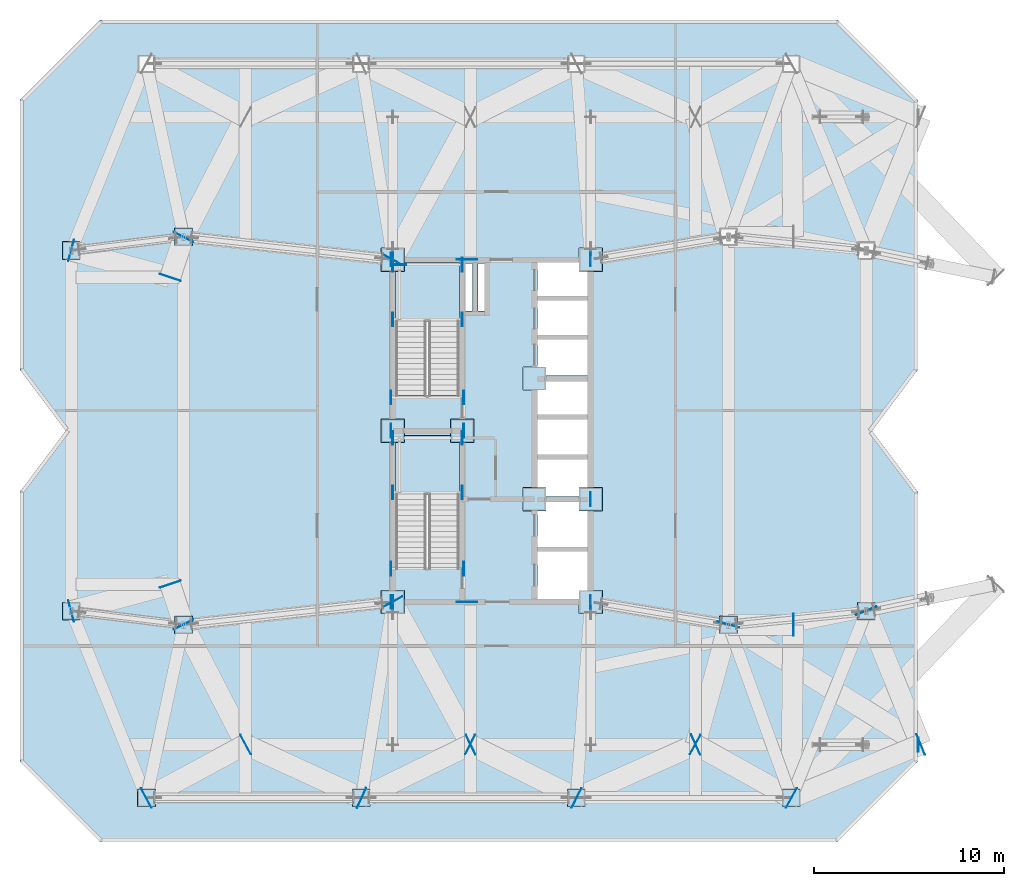
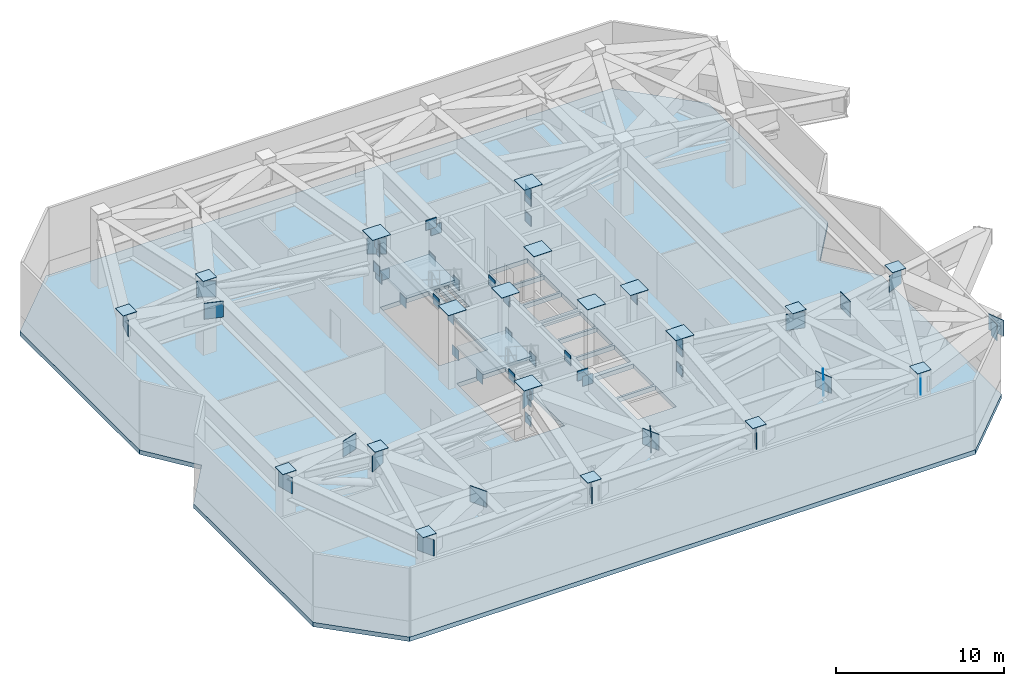
# One storey, part 7 of 19: 79 plates, 3 slabs, 2 elements without a shape of their own.
"""IFC4 building model written with IfcOpenShell, lengths in metres."""

import ifcopenshell
import ifcopenshell.guid

model = None  # the IFC model being written
_history = None  # IfcOwnerHistory: only IFC2X3 demands one
_inside = {}  # id of a spatial element -> (the spatial element, [elements in it])
_under = {}  # id of a project, library or spatial element -> (it, [spatial elements below it])
_declared = {}  # id of a project -> (the project, [libraries it declares])
_typed = {}  # id of a type object -> (the type object, [elements of that type])
_made_of = {}  # id of a material, layer set ... -> (it, [elements and type objects made of it])


def new_model(schema):
    """Start an empty IFC model of exactly this schema.

    Asked for "IFC4X3", IfcOpenShell would pick the latest addendum, in which some entities
    have other attributes; the version numbers below select the first issue.
    IFC2X3 requires an IfcOwnerHistory on every rooted entity: one is made here for all.
    """
    global model, _history
    if schema == "IFC4X3":
        model = ifcopenshell.file(schema_version=(4, 3, 0, 0))
    else:
        model = ifcopenshell.file(schema=schema)
    _inside.clear()
    _under.clear()
    _declared.clear()
    _typed.clear()
    _made_of.clear()
    _history = None
    if model.schema == "IFC2X3":
        org = make("IfcOrganization", Name="unknown")
        user = make(
            "IfcPersonAndOrganization",
            ThePerson=make("IfcPerson", FamilyName="unknown"),
            TheOrganization=org,
        )
        app = make(
            "IfcApplication",
            ApplicationDeveloper=org,
            Version="unknown",
            ApplicationFullName="unknown",
            ApplicationIdentifier="unknown",
        )
        _history = make(
            "IfcOwnerHistory",
            OwningUser=user,
            OwningApplication=app,
            ChangeAction="ADDED",
            CreationDate=0,
        )
    return model


def make(cls, **values):
    """One entity of the class cls with the attributes given. An attribute that is None is left unset."""
    return model.create_entity(
        cls, **{name: value for name, value in values.items() if value is not None}
    )


def rooted(cls, **values):
    """An entity with a GlobalId (a new one), such as an element, a storey or a relation."""
    return make(cls, GlobalId=ifcopenshell.guid.new(), OwnerHistory=_history, **values)


def si_unit(unit_type, name, prefix=None):
    """IfcSIUnit, for example si_unit("LENGTHUNIT", "METRE", prefix="MILLI")."""
    return make("IfcSIUnit", UnitType=unit_type, Prefix=prefix, Name=name)


def assignment(units):
    """IfcUnitAssignment: the units of a project."""
    return None if units is None else make("IfcUnitAssignment", Units=units)


def point(xyz):
    """IfcCartesianPoint."""
    return None if xyz is None else make("IfcCartesianPoint", Coordinates=xyz)


def direction(xyz):
    """IfcDirection."""
    return None if xyz is None else make("IfcDirection", DirectionRatios=xyz)


def frame(location, z_axis=None, x_axis=None):
    """IfcAxis2Placement3D, a coordinate frame: its origin and axes. An axis left out is left unset."""
    return make(
        "IfcAxis2Placement3D",
        Location=point(location),
        Axis=direction(z_axis),
        RefDirection=direction(x_axis),
    )


def frame_2d(location, x_axis=None):
    """IfcAxis2Placement2D, a coordinate frame in the plane: its origin and x axis."""
    return make(
        "IfcAxis2Placement2D", Location=point(location), RefDirection=direction(x_axis)
    )


def origin():
    """The frame at (0, 0, 0) with its axes left unset."""
    return frame((0.0, 0.0, 0.0))


def origin_2d():
    """The frame at (0, 0) in the plane with its x axis left unset."""
    return frame_2d((0.0, 0.0))


def place(relative_to, where):
    """IfcLocalPlacement: puts the frame where relative to a parent placement (None: the world)."""
    return make(
        "IfcLocalPlacement", PlacementRelTo=relative_to, RelativePlacement=where
    )


def context(
    kind, dimensions, precision=None, world=None, true_north=None, identifier=None
):
    """IfcGeometricRepresentationContext, for example the 3D "Model" context."""
    return make(
        "IfcGeometricRepresentationContext",
        ContextIdentifier=identifier,
        ContextType=kind,
        CoordinateSpaceDimension=dimensions,
        Precision=precision,
        WorldCoordinateSystem=world,
        TrueNorth=true_north,
    )


def subcontext(parent, identifier, kind, view, scale=None):
    """IfcGeometricRepresentationSubContext, for example "Body" below "Model"."""
    return make(
        "IfcGeometricRepresentationSubContext",
        ContextIdentifier=identifier,
        ContextType=kind,
        ParentContext=parent,
        TargetScale=scale,
        TargetView=view,
    )


def project(units=None, contexts=None):
    """IfcProject with its units and contexts."""
    return rooted(
        "IfcProject",
        Name="project",
        RepresentationContexts=contexts,
        UnitsInContext=assignment(units),
    )


def spatial(cls, under=None, at=None, **own):
    """A site, building, storey or space (cls), placed at a placement, below another one or the project."""
    s = rooted(cls, ObjectPlacement=at, **own)
    if under is not None:
        _under.setdefault(under.id(), (under, []))[1].append(s)
    return s


def polyline(points):
    """IfcPolyline through the points."""
    return make("IfcPolyline", Points=[point(p) for p in points])


def profile(cls, at=None, kind="AREA", **sizes):
    """A parametric profile (cls). Its sizes go by their IFC names, for example OverallWidth=200.0."""
    return make(cls, ProfileType=kind, Position=at, **sizes)


def rectangle(**sizes):
    """IfcRectangleProfileDef."""
    return profile("IfcRectangleProfileDef", **sizes)


def outline(outer, holes=None, kind="AREA"):
    """IfcArbitraryClosedProfileDef: a profile drawn as a closed curve; with holes, ...WithVoids."""
    if holes is None:
        return make("IfcArbitraryClosedProfileDef", ProfileType=kind, OuterCurve=outer)
    return make(
        "IfcArbitraryProfileDefWithVoids",
        ProfileType=kind,
        OuterCurve=outer,
        InnerCurves=holes,
    )


def extrude(swept, where, along, depth):
    """IfcExtrudedAreaSolid: the profile swept, set in the frame where, extruded along a direction by depth."""
    return make(
        "IfcExtrudedAreaSolid",
        SweptArea=swept,
        Position=where,
        ExtrudedDirection=direction(along),
        Depth=depth,
    )


def shape(context_of_items, identifier, shape_type, items):
    """IfcShapeRepresentation: the items that make up one representation, for example the "Body"."""
    return make(
        "IfcShapeRepresentation",
        ContextOfItems=context_of_items,
        RepresentationIdentifier=identifier,
        RepresentationType=shape_type,
        Items=items,
    )


def material(Name=None, Category=None):
    """IfcMaterial."""
    return make("IfcMaterial", Name=Name, Category=Category)


def layer(
    of_material, thickness, ventilated=None, Name=None, Category=None, Priority=None
):
    """IfcMaterialLayer: one layer of a wall or slab, of a material (None: an air gap)."""
    return make(
        "IfcMaterialLayer",
        Material=of_material,
        LayerThickness=thickness,
        IsVentilated=ventilated,
        Name=Name,
        Category=Category,
        Priority=Priority,
    )


def layer_set(layers, Name=None):
    """IfcMaterialLayerSet."""
    return make("IfcMaterialLayerSet", MaterialLayers=layers, LayerSetName=Name)


def made_of(thing, what):
    """Note that an element or type object is made of a material, layer set ...; save() writes the relation."""
    if what is not None:
        _made_of.setdefault(what.id(), (what, []))[1].append(thing)
    return thing


def type_object(cls, material=None, **own):
    """A type object (cls), such as IfcWallType, which elements share."""
    return made_of(rooted(cls, **own), material)


def element(
    cls,
    number,
    at=None,
    inside=None,
    cuts=None,
    type_object=None,
    material=None,
    context=None,
    identifier="Body",
    shape_type=None,
    held_by="IfcProductDefinitionShape",
    body=None,
    shapes=None,
    **own,
):
    """One element of the class cls, such as IfcWall. Its Tag is "e" and its number.

    at: its placement. inside: the storey or other place that contains it. cuts: it is an
    opening in that element (IfcRelVoidsElement). A single representation is given by context,
    identifier, shape_type and body (its items); several are given by shapes. held_by: the class
    of the entity that holds the representations. save() writes the other relations.
    """
    e = rooted(cls, Tag="e%d" % number, ObjectPlacement=at, **own)
    if body is not None:
        shapes = [shape(context, identifier, shape_type, body)]
    if shapes is not None:
        e.Representation = make(held_by, Representations=shapes)
    if inside is not None:
        _inside.setdefault(inside.id(), (inside, []))[1].append(e)
    if cuts is not None:
        rooted(
            "IfcRelVoidsElement", RelatingBuildingElement=cuts, RelatedOpeningElement=e
        )
    if type_object is not None:
        _typed.setdefault(type_object.id(), (type_object, []))[1].append(e)
    return made_of(e, material)


def aggregate(whole, parts):
    """IfcRelAggregates: a whole, such as a stair, and the parts it consists of."""
    return rooted("IfcRelAggregates", RelatingObject=whole, RelatedObjects=parts)


def save(model, path):
    """Write the relations noted so far, then the file.

    IfcRelAggregates (storeys below a building ...), IfcRelContainedInSpatialStructure (elements
    in a storey), IfcRelDefinesByType, IfcRelAssociatesMaterial and IfcRelDeclares: one each for
    every whole, place, type object, material and project.
    """
    for whole, parts in _under.values():
        aggregate(whole, parts)
    for where, things in _inside.values():
        rooted(
            "IfcRelContainedInSpatialStructure",
            RelatedElements=things,
            RelatingStructure=where,
        )
    for kind, things in _typed.values():
        rooted("IfcRelDefinesByType", RelatedObjects=things, RelatingType=kind)
    for what, things in _made_of.values():
        rooted("IfcRelAssociatesMaterial", RelatedObjects=things, RelatingMaterial=what)
    for by, libraries in _declared.values():
        rooted("IfcRelDeclares", RelatingContext=by, RelatedDefinitions=libraries)
    model.write(path)


model = new_model("IFC4")

# Units and contexts
model_context = context("Model", 3, precision=1e-05, world=origin(), true_north=direction((0.0, 1.0)))
body_context = subcontext(model_context, "Body", "Model", "MODEL_VIEW")
ifc_project = project(units=[si_unit("LENGTHUNIT", "METRE"), si_unit("AREAUNIT", "SQUARE_METRE"), si_unit("VOLUMEUNIT", "CUBIC_METRE"), si_unit("PLANEANGLEUNIT", "RADIAN"), si_unit("MASSUNIT", "GRAM", prefix="KILO")], contexts=[model_context])

# Site, building, storey
site_placement = place(None, origin())
site = spatial("IfcSite", under=ifc_project, at=site_placement, CompositionType="ELEMENT")
building_placement = place(site_placement, origin())
building = spatial("IfcBuilding", under=site, at=building_placement, Name="Khamvora Tower", CompositionType="ELEMENT")
storey_placement = place(building_placement, frame((0.0, 0.0, 150.5)))
storey = spatial("IfcBuildingStorey", under=building, at=storey_placement, Name="L38", CompositionType="ELEMENT", Elevation=150.5)

# Plates
ifc_material_1 = material(Name="Steel S355", Category="steel")
ifc_layer_1 = layer(ifc_material_1, 0.02490234375)
ifc_layer_set_1 = layer_set([ifc_layer_1], Name="Steel S355")
plate_type_1 = type_object("IfcPlateType", Name="PL-CAP-25", PredefinedType="SHEET", material=ifc_layer_set_1)
for number, where, z_axis, x_axis, name in (
    (1, (29.0, 19.0, 5.37548828125), (0.0, 0.0, 1.0), (1.0, 0.0, 0.0), "L38 hollow section steel end cap plate 0003"),
    (2, (32.64990234375, 28.0, 5.37548828125), (0.0, 0.0, 1.0), (1.0, 0.0, 0.0), "L38 hollow section steel end cap plate 0009"),
    (3, (39.39990234375, 19.0, 5.37548828125), (0.0, 0.0, 1.0), (1.0, 0.0, 0.0), "L38 hollow section steel end cap plate 0015"),
    (4, (29.0, 28.0, 5.37548828125), (0.0, 0.0, 1.0), (1.0, 0.0, 0.0), "L38 hollow section steel end cap plate 0021"),
    (5, (36.449951171875, 24.39990234375, 5.37548828125), (0.0, 0.0, 1.0), (1.0, 0.0, 0.0), "L38 hollow section steel end cap plate 0027"),
    (6, (39.39990234375, 24.39990234375, 5.37548828125), (0.0, 0.0, 1.0), (1.0, 0.0, 0.0), "L38 hollow section steel end cap plate 0033"),
    (7, (29.0, 37.0, 5.37548828125), (0.0, 0.0, 1.0), (1.0, 0.0, 0.0), "L38 hollow section steel end cap plate 0039"),
    (8, (36.449951171875, 30.75, 5.37548828125), (0.0, 0.0, 1.0), (1.0, 0.0, 0.0), "L38 hollow section steel end cap plate 0045"),
    (9, (39.39990234375, 37.0, 5.37548828125), (0.0, 0.0, 1.0), (1.0, 0.0, 0.0), "L38 hollow section steel end cap plate 0051"),
):
    element("IfcPlate", number, at=place(storey_placement, frame(where, z_axis=z_axis, x_axis=x_axis)), inside=storey, type_object=plate_type_1, Name=name, PredefinedType="SHEET", context=body_context, shape_type="SweptSolid", body=[
        extrude(rectangle(XDim=1.22998046875, YDim=1.22998046875, at=origin_2d()), origin(), (0.0, 0.0, 1.0), 0.02490234375),
    ])
for number, where, z_axis, x_axis, name in (
    (10, (18.0, 17.800048828125, 5.37548828125), (0.0, 0.0, 1.0), (1.0, 0.0, 0.0), "L38 hollow section steel end cap plate 0132"),
    (11, (18.0, 38.199951171875, 5.37548828125), (0.0, 0.0, 1.0), (1.0, 0.0, 0.0), "L38 hollow section steel end cap plate 0137"),
    (12, (16.050048828125, 8.699951171875, 5.37548828125), (0.0, 0.0, 1.0), (1.0, 0.0, 0.0), "L38 hollow section steel end cap plate 0148"),
    (13, (27.35009765625, 8.699951171875, 5.37548828125), (0.0, 0.0, 1.0), (1.0, 0.0, 0.0), "L38 hollow section steel end cap plate 0151"),
    (14, (38.64990234375, 8.699951171875, 5.37548828125), (0.0, 0.0, 1.0), (1.0, 0.0, 0.0), "L38 hollow section steel end cap plate 0154"),
    (15, (49.949951171875, 8.699951171875, 5.37548828125), (0.0, 0.0, 1.0), (1.0, 0.0, 0.0), "L38 hollow section steel end cap plate 0157"),
    (16, (12.10009765625, 18.52001953125, 5.37548828125), (0.0, 0.0, 1.0), (1.0, 0.0, 0.0), "L38 hollow section steel end cap plate 0172"),
    (17, (12.10009765625, 37.47998046875, 5.37548828125), (0.0, 0.0, 1.0), (1.0, 0.0, 0.0), "L38 hollow section steel end cap plate 0175"),
    (18, (53.89990234375, 18.52001953125, 5.37548828125), (0.0, 0.0, 1.0), (1.0, 0.0, 0.0), "L38 hollow section steel end cap plate 0178"),
    (19, (46.64990234375, 17.800048828125, 5.37548828125), (0.0, 0.0, 1.0), (1.0, 0.0, 0.0), "L38 hollow section steel end cap plate 0184"),
):
    element("IfcPlate", number, at=place(storey_placement, frame(where, z_axis=z_axis, x_axis=x_axis)), inside=storey, type_object=plate_type_1, Name=name, PredefinedType="SHEET", context=body_context, shape_type="SweptSolid", body=[
        extrude(rectangle(XDim=0.929931640625, YDim=0.929931640625, at=origin_2d()), origin(), (0.0, 0.0, 1.0), 0.02490234375),
    ])
for number, where, z_axis, x_axis, name in (
    (20, (16.0390625, 8.694091796875, 3.85009765625), (0.0, 0.0, 1.0), (0.880469078975, 0.474103576204, 0.0), "L38 hollow section steel end cap plate 0896"),
    (21, (21.260986328125, 11.506103515625, 3.85009765625), (0.0, 0.0, 1.0), (0.880469078975, 0.474103576204, 0.0), "L38 hollow section steel end cap plate 0897"),
    (22, (27.361083984375, 8.695068359375, 3.85009765625), (0.0, 0.0, 1.0), (-0.90882880848, 0.417169266458, 0.0), "L38 hollow section steel end cap plate 0898"),
    (23, (17.993896484375, 17.81103515625, 3.85009765625), (0.0, 0.0, 1.0), (0.458463432868, -0.888713272503, 0.0), "L38 hollow section steel end cap plate 0899"),
    (24, (38.660888671875, 8.694091796875, 3.85009765625), (0.0, 0.0, 1.0), (-0.893363546096, 0.44933459082, 0.0), "L38 hollow section steel end cap plate 0900"),
    (25, (33.072021484375, 11.506103515625, 3.85009765625), (0.0, 0.0, 1.0), (-0.893363546096, 0.44933459082, 0.0), "L38 hollow section steel end cap plate 0901"),
    (26, (33.093994140625, 11.5048828125, 3.85009765625), (0.0, 0.0, 1.0), (0.89855673314, 0.438857376979, 0.0), "L38 hollow section steel end cap plate 0902"),
    (27, (28.993896484375, 19.010986328125, 3.85009765625), (0.0, 0.0, 1.0), (0.478140110514, -0.878283573066, 0.0), "L38 hollow section steel end cap plate 0903"),
    (28, (49.9609375, 8.694091796875, 3.85009765625), (0.0, 0.0, 1.0), (-0.873874061715, 0.486152367332, 0.0), "L38 hollow section steel end cap plate 0904"),
    (29, (44.906005859375, 11.506103515625, 3.85009765625), (0.0, 0.0, 1.0), (-0.873874061715, 0.486152367332, 0.0), "L38 hollow section steel end cap plate 0905"),
    (30, (46.653076171875, 17.81201171875, 3.85009765625), (0.0, 0.0, 1.0), (-0.265219568533, -0.964188042068, 0.0), "L38 hollow section steel end cap plate 0906"),
    (31, (44.927978515625, 11.5048828125, 3.85009765625), (0.0, 0.0, 1.0), (0.913019377726, 0.407916187344, 0.0), "L38 hollow section steel end cap plate 0907"),
    (32, (56.761962890625, 11.5048828125, 3.85009765625), (0.0, 0.0, 1.0), (0.924678995938, 0.380747625693, 0.0), "L38 hollow section steel end cap plate 0908"),
    (33, (53.89501953125, 18.537109375, 3.85009765625), (0.0, 0.0, 1.0), (0.375933167024, -0.926646779486, 0.0), "L38 hollow section steel end cap plate 0909"),
    (34, (17.993896484375, 38.18896484375, 3.85009765625), (0.0, 0.0, 1.0), (0.458463432868, 0.888713272503, 0.0), "L38 hollow section steel end cap plate 0913"),
    (35, (28.993896484375, 36.989013671875, 3.85009765625), (0.0, 0.0, 1.0), (0.478140110514, 0.878283573066, 0.0), "L38 hollow section steel end cap plate 0917"),
    (36, (17.2958984375, 19.93701171875, 3.85009765625), (0.0, 0.0, 1.0), (-0.312865434255, 0.949797462646, 0.0), "L38 hollow section steel end cap plate 0924"),
    (37, (12.087890625, 18.52197265625, 3.85009765625), (0.0, 0.0, 1.0), (0.965617973457, 0.259965246401, 0.0), "L38 hollow section steel end cap plate 0925"),
    (38, (17.2958984375, 36.06298828125, 3.85009765625), (0.0, 0.0, 1.0), (-0.312865434255, -0.949797462646, 0.0), "L38 hollow section steel end cap plate 0926"),
    (39, (12.087890625, 37.47802734375, 3.85009765625), (0.0, 0.0, 1.0), (0.965617973457, -0.259965246401, 0.0), "L38 hollow section steel end cap plate 0927"),
    (40, (50.06201171875, 17.800048828125, 3.85009765625), (0.0, 0.0, 1.0), (1.0, 0.0, 0.0), "L38 hollow section steel end cap plate 0930"),
):
    element("IfcPlate", number, at=place(storey_placement, frame(where, z_axis=z_axis, x_axis=x_axis)), inside=storey, type_object=plate_type_1, Name=name, PredefinedType="SHEET", context=body_context, shape_type="SweptSolid", body=[
        extrude(rectangle(XDim=0.02490234375, YDim=1.159912109375, at=origin_2d()), origin(), (0.0, 0.0, 1.0), 1.159912109375),
    ])
ifc_material_2 = material(Name="Steel S460", Category="steel")
ifc_layer_2 = layer(ifc_material_2, 0.034912109375)
ifc_layer_set_2 = layer_set([ifc_layer_2], Name="Steel S460")
plate_type_2 = type_object("IfcPlateType", Name="PL-EMB-35", PredefinedType="SHEET", material=ifc_layer_set_2)
for number, where, z_axis, x_axis, name in (
    (41, (29.0, 24.7548828125, 2.0087890625), (0.0, 0.0, 1.0), (1.0, 0.0, 0.0), "L38 core shear wall cast-in embed plate 1104"),
    (42, (32.64990234375, 24.7548828125, 2.0087890625), (0.0, 0.0, 1.0), (1.0, 0.0, 0.0), "L38 core shear wall cast-in embed plate 1105"),
    (43, (29.0, 27.6298828125, 2.0087890625), (0.0, 0.0, 1.0), (1.0, 0.0, 0.0), "L38 core shear wall cast-in embed plate 1106"),
    (44, (32.64990234375, 27.6298828125, 2.0087890625), (0.0, 0.0, 1.0), (1.0, 0.0, 0.0), "L38 core shear wall cast-in embed plate 1107"),
    (45, (29.0, 33.85498046875, 2.0087890625), (0.0, 0.0, 1.0), (1.0, 0.0, 0.0), "L38 core shear wall cast-in embed plate 1108"),
    (46, (32.64990234375, 33.85498046875, 2.0087890625), (0.0, 0.0, 1.0), (1.0, 0.0, 0.0), "L38 core shear wall cast-in embed plate 1109"),
    (47, (29.0, 36.72998046875, 2.0087890625), (0.0, 0.0, 1.0), (1.0, 0.0, 0.0), "L38 core shear wall cast-in embed plate 1110"),
    (48, (32.64990234375, 36.72998046875, 2.0087890625), (0.0, 0.0, 1.0), (1.0, 0.0, 0.0), "L38 core shear wall cast-in embed plate 1111"),
):
    element("IfcPlate", number, at=place(storey_placement, frame(where, z_axis=z_axis, x_axis=x_axis)), inside=storey, type_object=plate_type_2, Name=name, PredefinedType="SHEET", context=body_context, shape_type="SweptSolid", body=[
        extrude(rectangle(XDim=0.034912109375, YDim=0.719970703125, at=origin_2d()), origin(), (0.0, 0.0, 1.0), 0.719970703125),
    ])
plate_1_placement = place(storey_placement, frame((29.35009765625, 36.72998046875, 2.0087890625), z_axis=(0.0, 0.0, 1.0), x_axis=(1.0, 0.0, 0.0)))
element("IfcPlate", 49, at=plate_1_placement, inside=storey, type_object=plate_type_2, Name="L38 core shear wall cast-in embed plate 1112", PredefinedType="SHEET", context=body_context, shape_type="SweptSolid", body=[
    extrude(rectangle(XDim=0.719970703125, YDim=0.034912109375, at=origin_2d()), origin(), (0.0, 0.0, 1.0), 0.719970703125),
])
for number, where, z_axis, x_axis, name in (
    (50, (29.0, 19.0, 4.27001953125), (0.0, 0.0, 1.0), (1.0, 0.0, 0.0), "L38 core shear wall cast-in embed plate 1113"),
    (51, (29.0, 19.0, 2.39990234375), (0.0, 0.0, 1.0), (1.0, 0.0, 0.0), "L38 core shear wall cast-in embed plate 1114"),
    (52, (29.0, 37.0, 4.27001953125), (0.0, 0.0, 1.0), (1.0, 0.0, 0.0), "L38 core shear wall cast-in embed plate 1115"),
    (53, (29.0, 37.0, 2.39990234375), (0.0, 0.0, 1.0), (1.0, 0.0, 0.0), "L38 core shear wall cast-in embed plate 1116"),
    (54, (39.39990234375, 19.0, 4.27001953125), (0.0, 0.0, 1.0), (1.0, 0.0, 0.0), "L38 core shear wall cast-in embed plate 1117"),
    (55, (39.39990234375, 19.0, 2.39990234375), (0.0, 0.0, 1.0), (1.0, 0.0, 0.0), "L38 core shear wall cast-in embed plate 1118"),
    (56, (39.39990234375, 37.0, 4.27001953125), (0.0, 0.0, 1.0), (1.0, 0.0, 0.0), "L38 core shear wall cast-in embed plate 1119"),
    (57, (39.39990234375, 37.0, 2.39990234375), (0.0, 0.0, 1.0), (1.0, 0.0, 0.0), "L38 core shear wall cast-in embed plate 1120"),
    (58, (29.0, 19.0, 3.84521484375), (0.0, 0.0, 1.0), (1.0, 0.0, 0.0), "L38 core shear wall cast-in embed plate 1121"),
    (59, (39.39990234375, 19.0, 3.84521484375), (0.0, 0.0, 1.0), (1.0, 0.0, 0.0), "L38 core shear wall cast-in embed plate 1122"),
    (60, (29.0, 37.0, 3.84521484375), (0.0, 0.0, 1.0), (1.0, 0.0, 0.0), "L38 core shear wall cast-in embed plate 1123"),
    (61, (39.39990234375, 37.0, 3.84521484375), (0.0, 0.0, 1.0), (1.0, 0.0, 0.0), "L38 core shear wall cast-in embed plate 1124"),
    (62, (28.89990234375, 19.0, 4.35302734375), (0.0, 0.0, 1.0), (1.0, 0.0, 0.0), "L38 core shear wall cast-in embed plate 1125"),
    (63, (28.89990234375, 28.0, 4.35302734375), (0.0, 0.0, 1.0), (1.0, 0.0, 0.0), "L38 core shear wall cast-in embed plate 1126"),
    (64, (28.89990234375, 37.0, 4.35302734375), (0.0, 0.0, 1.0), (1.0, 0.0, 0.0), "L38 core shear wall cast-in embed plate 1127"),
):
    element("IfcPlate", number, at=place(storey_placement, frame(where, z_axis=z_axis, x_axis=x_axis)), inside=storey, type_object=plate_type_2, Name=name, PredefinedType="SHEET", context=body_context, shape_type="SweptSolid", body=[
        extrude(rectangle(XDim=0.034912109375, YDim=0.719970703125, at=origin_2d()), origin(), (0.0, 0.0, 1.0), 0.719970703125),
    ])
plate_2_placement = place(storey_placement, frame((32.72998046875, 19.0, 4.35302734375), z_axis=(0.0, 0.0, 1.0), x_axis=(1.0, 0.0, 0.0)))
element("IfcPlate", 65, at=plate_2_placement, inside=storey, type_object=plate_type_2, Name="L38 core shear wall cast-in embed plate 1128", PredefinedType="SHEET", context=body_context, shape_type="SweptSolid", body=[
    extrude(rectangle(XDim=0.719970703125, YDim=0.034912109375, at=origin_2d()), origin(), (0.0, 0.0, 1.0), 0.719970703125),
])
plate_3_placement = place(storey_placement, frame((32.72998046875, 28.0, 4.35302734375), z_axis=(0.0, 0.0, 1.0), x_axis=(1.0, 0.0, 0.0)))
element("IfcPlate", 66, at=plate_3_placement, inside=storey, type_object=plate_type_2, Name="L38 core shear wall cast-in embed plate 1129", PredefinedType="SHEET", context=body_context, shape_type="SweptSolid", body=[
    extrude(rectangle(XDim=0.034912109375, YDim=0.719970703125, at=origin_2d()), origin(), (0.0, 0.0, 1.0), 0.719970703125),
])
plate_4_placement = place(storey_placement, frame((32.72998046875, 37.0, 4.35302734375), z_axis=(0.0, 0.0, 1.0), x_axis=(1.0, 0.0, 0.0)))
element("IfcPlate", 67, at=plate_4_placement, inside=storey, type_object=plate_type_2, Name="L38 core shear wall cast-in embed plate 1130", PredefinedType="SHEET", context=body_context, shape_type="SweptSolid", body=[
    extrude(rectangle(XDim=0.719970703125, YDim=0.034912109375, at=origin_2d()), origin(), (0.0, 0.0, 1.0), 0.719970703125),
])
for number, where, z_axis, x_axis, name in (
    (68, (39.39990234375, 19.0, 4.35302734375), (0.0, 0.0, 1.0), (1.0, 0.0, 0.0), "L38 core shear wall cast-in embed plate 1131"),
    (69, (39.39990234375, 24.39990234375, 4.35302734375), (0.0, 0.0, 1.0), (1.0, 0.0, 0.0), "L38 core shear wall cast-in embed plate 1132"),
    (70, (39.39990234375, 37.0, 4.35302734375), (0.0, 0.0, 1.0), (1.0, 0.0, 0.0), "L38 core shear wall cast-in embed plate 1133"),
    (71, (28.89990234375, 20.75, 4.494140625), (0.0, 0.0, 1.0), (1.0, 0.0, 0.0), "L38 core shear wall cast-in embed plate 1134"),
    (72, (32.72998046875, 20.75, 4.494140625), (0.0, 0.0, 1.0), (1.0, 0.0, 0.0), "L38 core shear wall cast-in embed plate 1135"),
    (73, (28.89990234375, 29.75, 4.494140625), (0.0, 0.0, 1.0), (1.0, 0.0, 0.0), "L38 core shear wall cast-in embed plate 1136"),
    (74, (32.72998046875, 29.75, 4.494140625), (0.0, 0.0, 1.0), (1.0, 0.0, 0.0), "L38 core shear wall cast-in embed plate 1137"),
):
    element("IfcPlate", number, at=place(storey_placement, frame(where, z_axis=z_axis, x_axis=x_axis)), inside=storey, type_object=plate_type_2, Name=name, PredefinedType="SHEET", context=body_context, shape_type="SweptSolid", body=[
        extrude(rectangle(XDim=0.034912109375, YDim=0.719970703125, at=origin_2d()), origin(), (0.0, 0.0, 1.0), 0.719970703125),
    ])
for number, where, z_axis, x_axis, name in (
    (75, (33.0830078125, 19.0, 3.84521484375), (0.0, 0.0, 1.0), (1.0, 0.0, 0.0), "L38 core shear wall cast-in embed plate 1138"),
    (76, (33.0830078125, 37.0, 3.84521484375), (0.0, 0.0, 1.0), (1.0, 0.0, 0.0), "L38 core shear wall cast-in embed plate 1139"),
):
    element("IfcPlate", number, at=place(storey_placement, frame(where, z_axis=z_axis, x_axis=x_axis)), inside=storey, type_object=plate_type_2, Name=name, PredefinedType="SHEET", context=body_context, shape_type="SweptSolid", body=[
        extrude(rectangle(XDim=0.719970703125, YDim=0.034912109375, at=origin_2d()), origin(), (0.0, 0.0, 1.0), 0.719970703125),
    ])
for number, where, z_axis, x_axis, name in (
    (77, (29.0, 19.0, 4.06982421875), (0.0, 0.0, 1.0), (1.0, 0.0, 0.0), "L38 core shear wall cast-in embed plate 1140"),
    (78, (29.0, 37.0, 4.06982421875), (0.0, 0.0, 1.0), (1.0, 0.0, 0.0), "L38 core shear wall cast-in embed plate 1141"),
):
    element("IfcPlate", number, at=place(storey_placement, frame(where, z_axis=z_axis, x_axis=x_axis)), inside=storey, type_object=plate_type_2, Name=name, PredefinedType="SHEET", context=body_context, shape_type="SweptSolid", body=[
        extrude(rectangle(XDim=0.034912109375, YDim=0.719970703125, at=origin_2d()), origin(), (0.0, 0.0, 1.0), 0.719970703125),
    ])
ifc_layer_3 = layer(ifc_material_2, 0.044921875)
ifc_layer_set_3 = layer_set([ifc_layer_3], Name="Steel S460")
plate_type_3 = type_object("IfcPlateType", Name="PLT-CAP-45", PredefinedType="SHEET", material=ifc_layer_set_3)
plate_5_placement = place(storey_placement, frame((56.6298828125, 11.5, 3.52978515625), z_axis=(0.0, 0.0, 1.0), x_axis=(1.0, 0.0, 0.0)))
element("IfcPlate", 79, at=plate_5_placement, inside=storey, type_object=plate_type_3, Name="L38 transfer box end cap plate S4", PredefinedType="SHEET", context=body_context, shape_type="SweptSolid", body=[
    extrude(rectangle(XDim=0.044921875, YDim=0.75, at=origin_2d()), origin(), (0.0, 0.0, 1.0), 1.199951171875),
])

# Stair, slab
ifc_material_3 = material(Name="Concrete C40/50", Category="concrete")
stair_type_1 = type_object("IfcStairType", Name="STR-ST-01", PredefinedType="HALF_TURN_STAIR", material=ifc_material_3)
stair_1_placement = place(storey_placement, origin())
stair_1 = element("IfcStair", 80, at=stair_1_placement, inside=storey, type_object=stair_type_1, Name="L38 South Tower Exit Stair ST-01", PredefinedType="HALF_TURN_STAIR")
ifc_layer_4 = layer(ifc_material_3, 0.199951171875)
ifc_layer_set_4 = layer_set([ifc_layer_4], Name="Concrete C40/50")
slab_type_1 = type_object("IfcSlabType", Name="SLB-LND-200", PredefinedType="LANDING", material=ifc_layer_set_4)
slab_1_placement = place(storey_placement, frame((0.0, 0.0, 2.5)))
slab_1 = element("IfcSlab", 81, at=slab_1_placement, type_object=slab_type_1, Name="ST-01 landing 1", PredefinedType="LANDING", context=body_context, shape_type="SweptSolid", body=[
    extrude(outline(polyline([(32.5, 24.635009765625), (32.5, 27.75), (29.14990234375, 27.75), (29.14990234375, 24.635009765625), (32.5, 24.635009765625)])), origin(), (0.0, 0.0, 1.0), 0.199951171875),
])
aggregate(stair_1, [slab_1])

stair_type_2 = type_object("IfcStairType", Name="STR-ST-02", PredefinedType="HALF_TURN_STAIR", material=ifc_material_3)
stair_2_placement = place(storey_placement, origin())
stair_2 = element("IfcStair", 82, at=stair_2_placement, inside=storey, type_object=stair_type_2, Name="L38 North Tower Exit Stair ST-02", PredefinedType="HALF_TURN_STAIR")
slab_2_placement = place(storey_placement, frame((0.0, 0.0, 2.5)))
slab_2 = element("IfcSlab", 83, at=slab_2_placement, type_object=slab_type_1, Name="ST-02 landing 1", PredefinedType="LANDING", context=body_context, shape_type="SweptSolid", body=[
    extrude(outline(polyline([(32.5, 33.735107421875), (32.5, 36.85009765625), (29.14990234375, 36.85009765625), (29.14990234375, 33.735107421875), (32.5, 33.735107421875)])), origin(), (0.0, 0.0, 1.0), 0.199951171875),
])
aggregate(stair_2, [slab_2])

# Slab
ifc_layer_5 = layer(ifc_material_3, 0.320068359375)
ifc_layer_set_5 = layer_set([ifc_layer_5], Name="Concrete C40/50")
slab_type_2 = type_object("IfcSlabType", Name="SLB-TRN-320", PredefinedType="FLOOR", material=ifc_layer_set_5)
slab_3_placement = place(storey_placement, frame((0.0, 0.0, -0.320068359375)))
element("IfcSlab", 84, at=slab_3_placement, inside=storey, type_object=slab_type_2, Name="L38 structural floor slab", PredefinedType="FLOOR", context=body_context, shape_type="SweptSolid", body=[
    extrude(outline(polyline([(13.60009765625, 6.39990234375), (52.39990234375, 6.39990234375), (56.60009765625, 10.60009765625), (56.60009765625, 24.800048828125), (54.199951171875, 28.0), (56.60009765625, 31.199951171875), (56.60009765625, 45.39990234375), (52.39990234375, 49.60009765625), (13.60009765625, 49.60009765625), (9.39990234375, 45.39990234375), (9.39990234375, 31.199951171875), (11.800048828125, 28.0), (9.39990234375, 24.800048828125), (9.39990234375, 10.60009765625), (13.60009765625, 6.39990234375)]), holes=[polyline([(32.5, 20.760009765625), (32.5, 27.75), (29.14990234375, 27.75), (29.14990234375, 20.760009765625), (32.5, 20.760009765625)]), polyline([(32.5, 29.860107421875), (32.5, 36.85009765625), (29.14990234375, 36.85009765625), (29.14990234375, 29.860107421875), (32.5, 29.860107421875)]), polyline([(36.60009765625, 19.14990234375), (39.25, 19.14990234375), (39.25, 21.64990234375), (36.60009765625, 21.64990234375), (36.60009765625, 19.14990234375)]), polyline([(36.60009765625, 21.800048828125), (39.25, 21.800048828125), (39.25, 24.25), (36.60009765625, 24.25), (36.60009765625, 21.800048828125)]), polyline([(36.60009765625, 24.550048828125), (39.25, 24.550048828125), (39.25, 26.5), (36.60009765625, 26.5), (36.60009765625, 24.550048828125)]), polyline([(36.60009765625, 26.64990234375), (39.25, 26.64990234375), (39.25, 28.60009765625), (36.60009765625, 28.60009765625), (36.60009765625, 26.64990234375)]), polyline([(36.60009765625, 28.75), (39.25, 28.75), (39.25, 30.60009765625), (36.60009765625, 30.60009765625), (36.60009765625, 28.75)]), polyline([(36.60009765625, 30.89990234375), (39.25, 30.89990234375), (39.25, 32.800048828125), (36.60009765625, 32.800048828125), (36.60009765625, 30.89990234375)]), polyline([(36.60009765625, 32.949951171875), (39.25, 32.949951171875), (39.25, 34.85009765625), (36.60009765625, 34.85009765625), (36.60009765625, 32.949951171875)]), polyline([(36.60009765625, 35.0), (39.25, 35.0), (39.25, 36.85009765625), (36.60009765625, 36.85009765625), (36.60009765625, 35.0)]), polyline([(32.800048828125, 34.300048828125), (33.199951171875, 34.300048828125), (33.199951171875, 36.800048828125), (32.800048828125, 36.800048828125), (32.800048828125, 34.300048828125)]), polyline([(33.47998046875, 34.300048828125), (33.820068359375, 34.300048828125), (33.820068359375, 36.800048828125), (33.47998046875, 36.800048828125), (33.47998046875, 34.300048828125)])]), origin(), (0.0, 0.0, 1.0), 0.320068359375),
])

save(model, "model.ifc")
